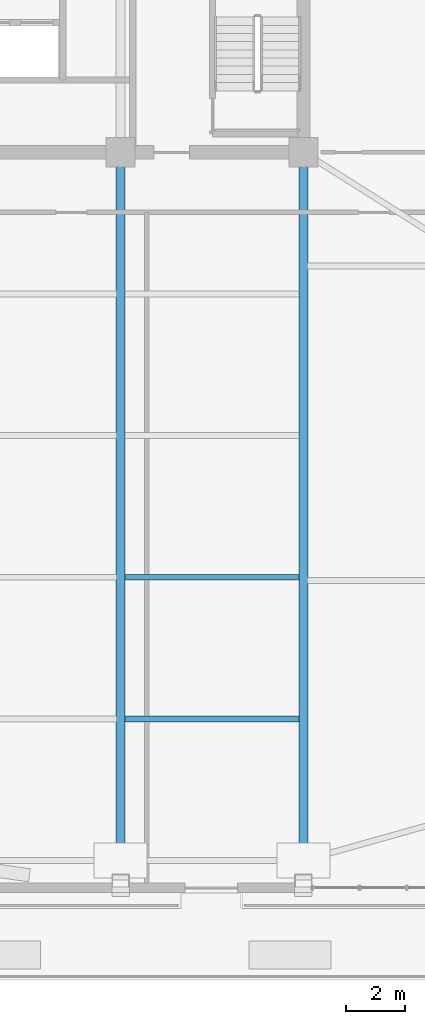
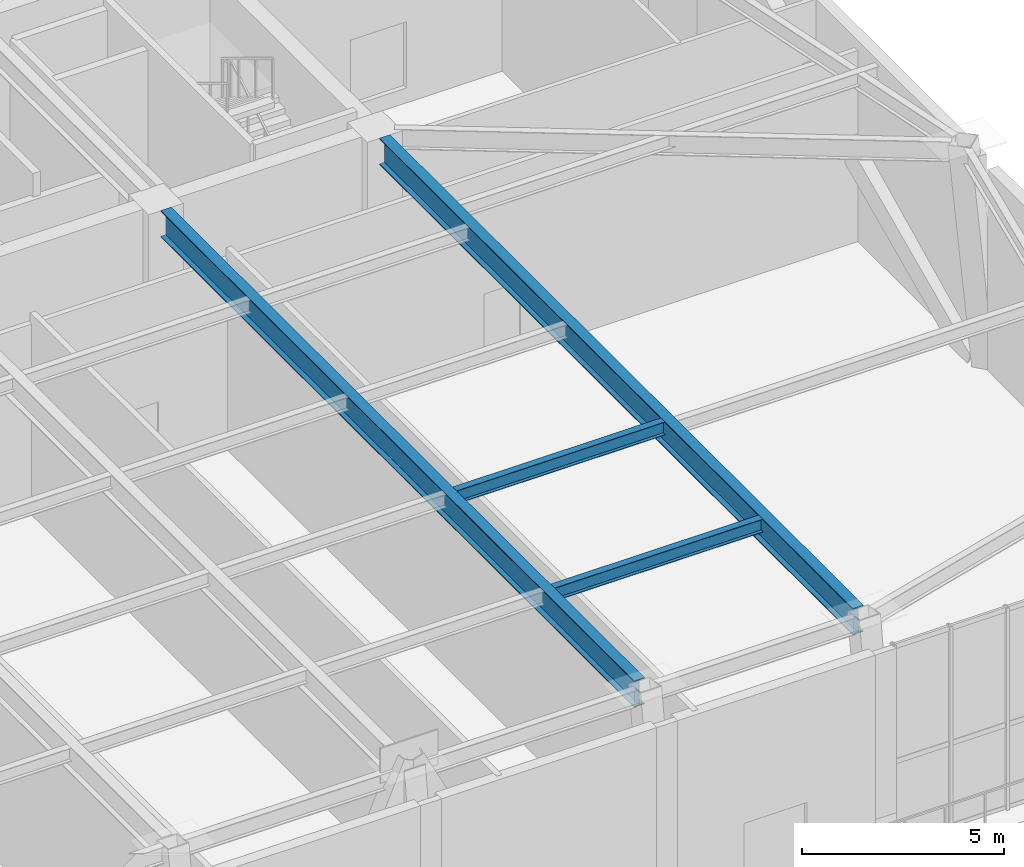
# One storey, part 5 of 16: 4 beams.
"""IFC4 building model written with IfcOpenShell, lengths in metres."""

from ifc_helpers import new_model, si_unit, direction, frame, origin, origin_2d, place, context, subcontext, project, spatial, i_section, extrude, source, transform, mapped, material, material_profile, profile_set, type_object, element, save


model = new_model("IFC4")

# Units and contexts
model_context = context("Model", 3, precision=1e-05, world=origin(), true_north=direction((0.0, 1.0)))
body_context = subcontext(model_context, "Body", "Model", "MODEL_VIEW")
ifc_project = project(units=[si_unit("LENGTHUNIT", "METRE"), si_unit("AREAUNIT", "SQUARE_METRE"), si_unit("VOLUMEUNIT", "CUBIC_METRE"), si_unit("PLANEANGLEUNIT", "RADIAN"), si_unit("MASSUNIT", "GRAM", prefix="KILO")], contexts=[model_context])

# Site, building, storey
site_placement = place(None, origin())
site = spatial("IfcSite", under=ifc_project, at=site_placement, CompositionType="ELEMENT")
building_placement = place(site_placement, origin())
building = spatial("IfcBuilding", under=site, at=building_placement, Name="Giltprow Tower", CompositionType="ELEMENT")
storey_placement = place(building_placement, frame((0.0, 0.0, 220.199951171875)))
storey = spatial("IfcBuildingStorey", under=building, at=storey_placement, Name="L56", CompositionType="ELEMENT", Elevation=220.199951171875)

# Beams
ifc_material = material(Name="Structural steel Q355B", Category="steel")
ifc_material_profile_1 = material_profile(ifc_material, i_section(OverallWidth=0.199951171875, OverallDepth=0.39990234375, WebThickness=0.008056640625, FlangeThickness=0.012939453125, at=origin_2d()), Name="HN 400x200x8x13")
ifc_profile_set_1 = profile_set([ifc_material_profile_1], Name="Structural steel Q355B")
beam_type_1 = type_object("IfcBeamType", Name="BM-JOIST-HN400", PredefinedType="JOIST", material=ifc_profile_set_1)
shared_shape_1 = source(origin(), body_context, "Body", "SweptSolid", [
    extrude(i_section(OverallWidth=0.199951171875, OverallDepth=0.39990234375, WebThickness=0.008056640625, FlangeThickness=0.012939453125, at=origin_2d()), origin(), (0.0, 0.0, 1.0), 5.9599609375),
])
for number, where, z_axis, x_axis, name in (
    (1, (44.445068359375, 18.090087890625, 6.385009765625), (1.0, 0.0, 0.0), (0.0, 1.0, 0.0), "L56 Composite Floor Joist 1-4"),
    (2, (44.445068359375, 22.929931640625, 6.385009765625), (1.0, 0.0, 0.0), (0.0, 1.0, 0.0), "L56 Composite Floor Joist 2-4"),
):
    element("IfcBeam", number, at=place(storey_placement, frame(where, z_axis=z_axis, x_axis=x_axis)), inside=storey, type_object=beam_type_1, Name=name, PredefinedType="JOIST", context=body_context, shape_type="MappedRepresentation", body=[
        mapped(shared_shape_1, transform((0.0, 0.0, 0.0), x_axis=(1.0, 0.0, 0.0), y_axis=(0.0, 1.0, 0.0), z_axis=(0.0, 0.0, 1.0), scale=1.0)),
    ])
ifc_material_profile_2 = material_profile(ifc_material, i_section(OverallWidth=0.300048828125, OverallDepth=0.800048828125, WebThickness=0.013916015625, FlangeThickness=0.02587890625, at=origin_2d()), Name="HN 800x300x14x26")
ifc_profile_set_2 = profile_set([ifc_material_profile_2], Name="Structural steel Q355B")
beam_type_2 = type_object("IfcBeamType", Name="BM-GIRD-HN800", PredefinedType="BEAM", material=ifc_profile_set_2)
shared_shape_2 = source(origin(), body_context, "Body", "SweptSolid", [
    extrude(i_section(OverallWidth=0.300048828125, OverallDepth=0.800048828125, WebThickness=0.013916015625, FlangeThickness=0.02587890625, at=origin_2d()), origin(), (0.0, 0.0, 1.0), 23.43017578125),
])
for number, where, z_axis, x_axis, name in (
    (3, (44.300048828125, 13.534912109375, 6.18505859375), (0.0, 1.0, 0.0), (-1.0, 0.0, 0.0), "L56 Primary Lease Girder S3"),
    (4, (50.550048828125, 13.534912109375, 6.18505859375), (0.0, 1.0, 0.0), (-1.0, 0.0, 0.0), "L56 Primary Lease Girder S4"),
):
    element("IfcBeam", number, at=place(storey_placement, frame(where, z_axis=z_axis, x_axis=x_axis)), inside=storey, type_object=beam_type_2, Name=name, PredefinedType="BEAM", context=body_context, shape_type="MappedRepresentation", body=[
        mapped(shared_shape_2, transform((0.0, 0.0, 0.0), x_axis=(1.0, 0.0, 0.0), y_axis=(0.0, 1.0, 0.0), z_axis=(0.0, 0.0, 1.0), scale=1.0)),
    ])

save(model, "model.ifc")
